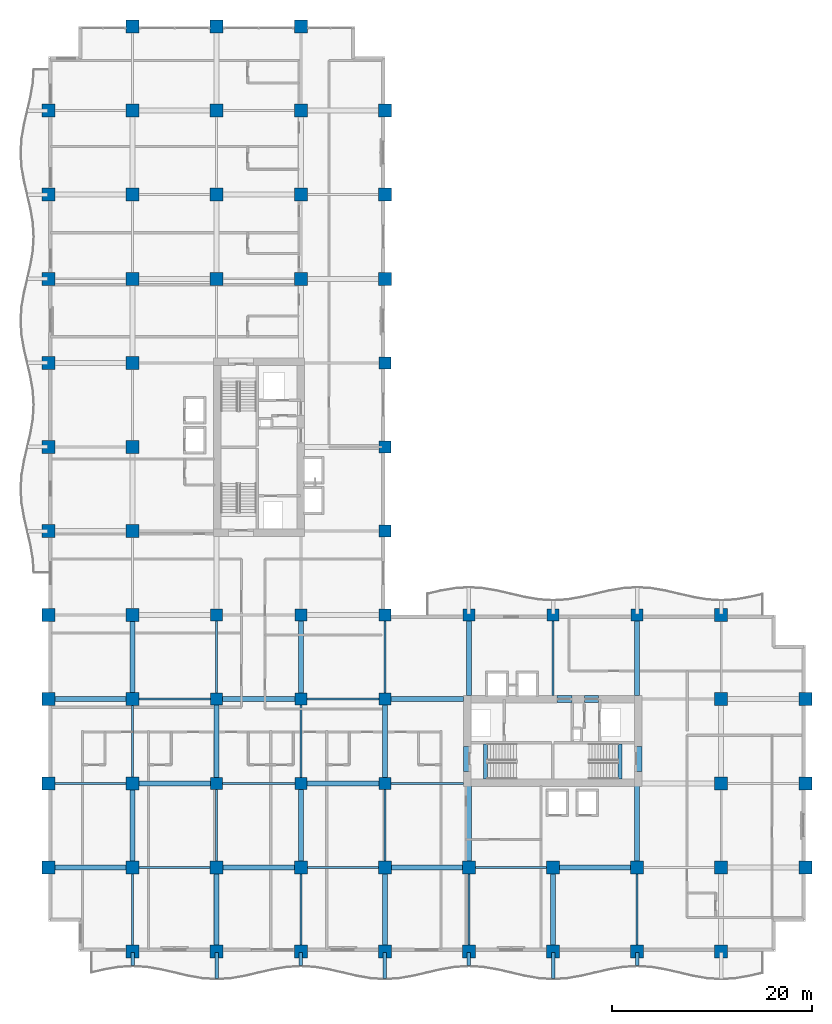
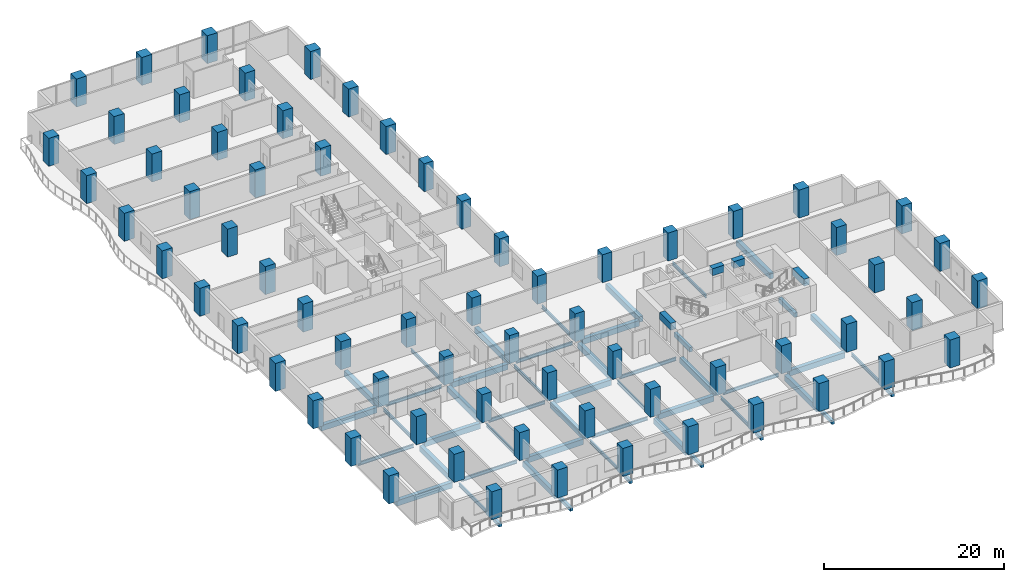
# One storey, part 1 of 20: 68 columns, 54 beams.
"""IFC4 building model written with IfcOpenShell, lengths in metres."""

from ifc_helpers import new_model, si_unit, direction, frame, origin, origin_2d, place, context, subcontext, project, spatial, rectangle, i_section, extrude, material, material_profile, profile_set, type_object, element, save


model = new_model("IFC4")

# Units and contexts
model_context = context("Model", 3, precision=1e-05, world=origin(), true_north=direction((0.0, 1.0)))
body_context = subcontext(model_context, "Body", "Model", "MODEL_VIEW")
ifc_project = project(units=[si_unit("LENGTHUNIT", "METRE"), si_unit("AREAUNIT", "SQUARE_METRE"), si_unit("VOLUMEUNIT", "CUBIC_METRE"), si_unit("PLANEANGLEUNIT", "RADIAN"), si_unit("MASSUNIT", "GRAM", prefix="KILO")], contexts=[model_context])

# Site, building, storey
site_placement = place(None, origin())
site = spatial("IfcSite", under=ifc_project, at=site_placement, CompositionType="ELEMENT")
building_placement = place(site_placement, origin())
building = spatial("IfcBuilding", under=site, at=building_placement, Name="Koriwani Terraces Tower", CompositionType="ELEMENT")
storey_placement = place(building_placement, frame((0.0, 0.0, 126.60009765625)))
storey = spatial("IfcBuildingStorey", under=building, at=storey_placement, Name="L30", CompositionType="ELEMENT", Elevation=126.60009765625)

# Columns
ifc_material_1 = material(Name="Concrete C60/75", Category="concrete")
ifc_material_profile_1 = material_profile(ifc_material_1, rectangle(XDim=1.199951171875, YDim=1.199951171875, at=origin_2d()), Name="Concrete C60/75", Category="LoadBearing")
ifc_profile_set_1 = profile_set([ifc_material_profile_1], Name="Concrete C60/75")
column_type_1 = type_object("IfcColumnType", Name="COL_RC_1200X1200", PredefinedType="COLUMN", material=ifc_profile_set_1)
for number, where, z_axis, x_axis, name in (
    (1, (16.800048828125, 16.800048828125, 0.0), (0.0, 0.0, 1.0), (1.0, 0.0, 0.0), "L30 Column 3/C"),
    (2, (16.800048828125, 25.199951171875, 0.0), (0.0, 0.0, 1.0), (1.0, 0.0, 0.0), "L30 Column 3/D"),
    (3, (16.800048828125, 33.60009765625, 0.0), (0.0, 0.0, 1.0), (1.0, 0.0, 0.0), "L30 Column 3/E"),
    (4, (25.199951171875, 16.800048828125, 0.0), (0.0, 0.0, 1.0), (1.0, 0.0, 0.0), "L30 Column 4/C"),
    (5, (25.199951171875, 25.199951171875, 0.0), (0.0, 0.0, 1.0), (1.0, 0.0, 0.0), "L30 Column 4/D"),
    (6, (25.199951171875, 33.60009765625, 0.0), (0.0, 0.0, 1.0), (1.0, 0.0, 0.0), "L30 Column 4/E"),
    (7, (33.60009765625, 16.800048828125, 0.0), (0.0, 0.0, 1.0), (1.0, 0.0, 0.0), "L30 Column 5/C"),
    (8, (33.60009765625, 25.199951171875, 0.0), (0.0, 0.0, 1.0), (1.0, 0.0, 0.0), "L30 Column 5/D"),
    (9, (33.60009765625, 33.60009765625, 0.0), (0.0, 0.0, 1.0), (1.0, 0.0, 0.0), "L30 Column 5/E"),
    (10, (33.60009765625, 42.0, 0.0), (0.0, 0.0, 1.0), (1.0, 0.0, 0.0), "L30 Column 5/F"),
    (11, (33.60009765625, 50.39990234375, 0.0), (0.0, 0.0, 1.0), (1.0, 0.0, 0.0), "L30 Column 5/G"),
    (12, (33.60009765625, 58.800048828125, 0.0), (0.0, 0.0, 1.0), (1.0, 0.0, 0.0), "L30 Column 5/H"),
    (13, (42.0, 33.60009765625, 0.0), (0.0, 0.0, 1.0), (1.0, 0.0, 0.0), "L30 Column 6/E"),
    (14, (50.39990234375, 33.60009765625, 0.0), (0.0, 0.0, 1.0), (1.0, 0.0, 0.0), "L30 Column 7/E"),
    (15, (58.800048828125, 33.60009765625, 0.0), (0.0, 0.0, 1.0), (1.0, 0.0, 0.0), "L30 Column 8/E"),
):
    element("IfcColumn", number, at=place(storey_placement, frame(where, z_axis=z_axis, x_axis=x_axis)), inside=storey, type_object=column_type_1, Name=name, PredefinedType="COLUMN", context=body_context, shape_type="SweptSolid", body=[
        extrude(rectangle(XDim=1.199951171875, YDim=1.199951171875, at=origin_2d()), origin(), (0.0, 0.0, 1.0), 3.7998046875),
    ])
ifc_material_profile_2 = material_profile(ifc_material_1, rectangle(XDim=1.300048828125, YDim=1.300048828125, at=origin_2d()), Name="Concrete C60/75", Category="LoadBearing")
ifc_profile_set_2 = profile_set([ifc_material_profile_2], Name="Concrete C60/75")
column_type_2 = type_object("IfcColumnType", Name="COL_RC_1300X1300", PredefinedType="COLUMN", material=ifc_profile_set_2)
for number, where, z_axis, x_axis, name in (
    (16, (0.0, 8.39990234375, 0.0), (0.0, 0.0, 1.0), (1.0, 0.0, 0.0), "L30 Column 1/B"),
    (17, (0.0, 16.800048828125, 0.0), (0.0, 0.0, 1.0), (1.0, 0.0, 0.0), "L30 Column 1/C"),
    (18, (0.0, 25.199951171875, 0.0), (0.0, 0.0, 1.0), (1.0, 0.0, 0.0), "L30 Column 1/D"),
    (19, (0.0, 33.60009765625, 0.0), (0.0, 0.0, 1.0), (1.0, 0.0, 0.0), "L30 Column 1/E"),
    (20, (0.0, 42.0, 0.0), (0.0, 0.0, 1.0), (1.0, 0.0, 0.0), "L30 Column 1/F"),
    (21, (0.0, 50.39990234375, 0.0), (0.0, 0.0, 1.0), (1.0, 0.0, 0.0), "L30 Column 1/G"),
    (22, (0.0, 58.800048828125, 0.0), (0.0, 0.0, 1.0), (1.0, 0.0, 0.0), "L30 Column 1/H"),
    (23, (0.0, 67.199951171875, 0.0), (0.0, 0.0, 1.0), (1.0, 0.0, 0.0), "L30 Column 1/I"),
    (24, (0.0, 75.60009765625, 0.0), (0.0, 0.0, 1.0), (1.0, 0.0, 0.0), "L30 Column 1/J"),
    (25, (0.0, 84.0, 0.0), (0.0, 0.0, 1.0), (1.0, 0.0, 0.0), "L30 Column 1/K"),
    (26, (8.39990234375, 0.0, 0.0), (0.0, 0.0, 1.0), (1.0, 0.0, 0.0), "L30 Column 2/A"),
    (27, (8.39990234375, 8.39990234375, 0.0), (0.0, 0.0, 1.0), (1.0, 0.0, 0.0), "L30 Column 2/B"),
    (28, (8.39990234375, 16.800048828125, 0.0), (0.0, 0.0, 1.0), (1.0, 0.0, 0.0), "L30 Column 2/C"),
    (29, (8.39990234375, 25.199951171875, 0.0), (0.0, 0.0, 1.0), (1.0, 0.0, 0.0), "L30 Column 2/D"),
    (30, (8.39990234375, 33.60009765625, 0.0), (0.0, 0.0, 1.0), (1.0, 0.0, 0.0), "L30 Column 2/E"),
    (31, (8.39990234375, 42.0, 0.0), (0.0, 0.0, 1.0), (1.0, 0.0, 0.0), "L30 Column 2/F"),
    (32, (8.39990234375, 50.39990234375, 0.0), (0.0, 0.0, 1.0), (1.0, 0.0, 0.0), "L30 Column 2/G"),
    (33, (8.39990234375, 58.800048828125, 0.0), (0.0, 0.0, 1.0), (1.0, 0.0, 0.0), "L30 Column 2/H"),
    (34, (8.39990234375, 67.199951171875, 0.0), (0.0, 0.0, 1.0), (1.0, 0.0, 0.0), "L30 Column 2/I"),
    (35, (8.39990234375, 75.60009765625, 0.0), (0.0, 0.0, 1.0), (1.0, 0.0, 0.0), "L30 Column 2/J"),
    (36, (8.39990234375, 84.0, 0.0), (0.0, 0.0, 1.0), (1.0, 0.0, 0.0), "L30 Column 2/K"),
    (37, (8.39990234375, 92.39990234375, 0.0), (0.0, 0.0, 1.0), (1.0, 0.0, 0.0), "L30 Column 2/L"),
    (38, (16.800048828125, 0.0, 0.0), (0.0, 0.0, 1.0), (1.0, 0.0, 0.0), "L30 Column 3/A"),
    (39, (16.800048828125, 8.39990234375, 0.0), (0.0, 0.0, 1.0), (1.0, 0.0, 0.0), "L30 Column 3/B"),
    (40, (16.800048828125, 67.199951171875, 0.0), (0.0, 0.0, 1.0), (1.0, 0.0, 0.0), "L30 Column 3/I"),
    (41, (16.800048828125, 75.60009765625, 0.0), (0.0, 0.0, 1.0), (1.0, 0.0, 0.0), "L30 Column 3/J"),
    (42, (16.800048828125, 84.0, 0.0), (0.0, 0.0, 1.0), (1.0, 0.0, 0.0), "L30 Column 3/K"),
    (43, (16.800048828125, 92.39990234375, 0.0), (0.0, 0.0, 1.0), (1.0, 0.0, 0.0), "L30 Column 3/L"),
    (44, (25.199951171875, 0.0, 0.0), (0.0, 0.0, 1.0), (1.0, 0.0, 0.0), "L30 Column 4/A"),
    (45, (25.199951171875, 8.39990234375, 0.0), (0.0, 0.0, 1.0), (1.0, 0.0, 0.0), "L30 Column 4/B"),
    (46, (25.199951171875, 67.199951171875, 0.0), (0.0, 0.0, 1.0), (1.0, 0.0, 0.0), "L30 Column 4/I"),
    (47, (25.199951171875, 75.60009765625, 0.0), (0.0, 0.0, 1.0), (1.0, 0.0, 0.0), "L30 Column 4/J"),
    (48, (25.199951171875, 84.0, 0.0), (0.0, 0.0, 1.0), (1.0, 0.0, 0.0), "L30 Column 4/K"),
    (49, (25.199951171875, 92.39990234375, 0.0), (0.0, 0.0, 1.0), (1.0, 0.0, 0.0), "L30 Column 4/L"),
    (50, (33.60009765625, 0.0, 0.0), (0.0, 0.0, 1.0), (1.0, 0.0, 0.0), "L30 Column 5/A"),
    (51, (33.60009765625, 8.39990234375, 0.0), (0.0, 0.0, 1.0), (1.0, 0.0, 0.0), "L30 Column 5/B"),
    (52, (33.60009765625, 67.199951171875, 0.0), (0.0, 0.0, 1.0), (1.0, 0.0, 0.0), "L30 Column 5/I"),
    (53, (33.60009765625, 75.60009765625, 0.0), (0.0, 0.0, 1.0), (1.0, 0.0, 0.0), "L30 Column 5/J"),
    (54, (33.60009765625, 84.0, 0.0), (0.0, 0.0, 1.0), (1.0, 0.0, 0.0), "L30 Column 5/K"),
    (55, (42.0, 0.0, 0.0), (0.0, 0.0, 1.0), (1.0, 0.0, 0.0), "L30 Column 6/A"),
    (56, (42.0, 8.39990234375, 0.0), (0.0, 0.0, 1.0), (1.0, 0.0, 0.0), "L30 Column 6/B"),
    (57, (50.39990234375, 0.0, 0.0), (0.0, 0.0, 1.0), (1.0, 0.0, 0.0), "L30 Column 7/A"),
    (58, (50.39990234375, 8.39990234375, 0.0), (0.0, 0.0, 1.0), (1.0, 0.0, 0.0), "L30 Column 7/B"),
    (59, (58.800048828125, 0.0, 0.0), (0.0, 0.0, 1.0), (1.0, 0.0, 0.0), "L30 Column 8/A"),
    (60, (58.800048828125, 8.39990234375, 0.0), (0.0, 0.0, 1.0), (1.0, 0.0, 0.0), "L30 Column 8/B"),
    (61, (67.199951171875, 0.0, 0.0), (0.0, 0.0, 1.0), (1.0, 0.0, 0.0), "L30 Column 9/A"),
    (62, (67.199951171875, 8.39990234375, 0.0), (0.0, 0.0, 1.0), (1.0, 0.0, 0.0), "L30 Column 9/B"),
    (63, (67.199951171875, 16.800048828125, 0.0), (0.0, 0.0, 1.0), (1.0, 0.0, 0.0), "L30 Column 9/C"),
    (64, (67.199951171875, 25.199951171875, 0.0), (0.0, 0.0, 1.0), (1.0, 0.0, 0.0), "L30 Column 9/D"),
    (65, (67.199951171875, 33.60009765625, 0.0), (0.0, 0.0, 1.0), (1.0, 0.0, 0.0), "L30 Column 9/E"),
    (66, (75.60009765625, 8.39990234375, 0.0), (0.0, 0.0, 1.0), (1.0, 0.0, 0.0), "L30 Column 10/B"),
    (67, (75.60009765625, 16.800048828125, 0.0), (0.0, 0.0, 1.0), (1.0, 0.0, 0.0), "L30 Column 10/C"),
    (68, (75.60009765625, 25.199951171875, 0.0), (0.0, 0.0, 1.0), (1.0, 0.0, 0.0), "L30 Column 10/D"),
):
    element("IfcColumn", number, at=place(storey_placement, frame(where, z_axis=z_axis, x_axis=x_axis)), inside=storey, type_object=column_type_2, Name=name, PredefinedType="COLUMN", context=body_context, shape_type="SweptSolid", body=[
        extrude(rectangle(XDim=1.300048828125, YDim=1.300048828125, at=origin_2d()), origin(), (0.0, 0.0, 1.0), 3.7998046875),
    ])

# Beams
ifc_material_2 = material(Name="Concrete C40/50", Category="concrete")
ifc_material_profile_3 = material_profile(ifc_material_2, rectangle(XDim=0.35009765625, YDim=0.449951171875, at=origin_2d()), Name="Concrete C40/50", Category="LoadBearing")
ifc_profile_set_3 = profile_set([ifc_material_profile_3], Name="Concrete C40/50")
beam_type_1 = type_object("IfcBeamType", Name="BEAM_RC_BALCONY_RIB_350X450", PredefinedType="JOIST", material=ifc_profile_set_3)
beam_1_placement = place(storey_placement, frame((8.39990234375, -1.39990234375, -0.47509765625), z_axis=(0.0, 1.0, 0.0), x_axis=(-1.0, 0.0, 0.0)))
element("IfcBeam", 69, at=beam_1_placement, inside=storey, type_object=beam_type_1, Name="L30 Balcony Bracket Rib S-1", PredefinedType="JOIST", context=body_context, shape_type="SweptSolid", body=[
    extrude(rectangle(XDim=0.35009765625, YDim=0.449951171875, at=origin_2d()), origin(), (0.0, 0.0, 1.0), 1.2998046875),
])
beam_2_placement = place(storey_placement, frame((16.800048828125, -2.699951171875, -0.47509765625), z_axis=(0.0, 1.0, 0.0), x_axis=(-1.0, 0.0, 0.0)))
element("IfcBeam", 70, at=beam_2_placement, inside=storey, type_object=beam_type_1, Name="L30 Balcony Bracket Rib S-2", PredefinedType="JOIST", context=body_context, shape_type="SweptSolid", body=[
    extrude(rectangle(XDim=0.35009765625, YDim=0.449951171875, at=origin_2d()), origin(), (0.0, 0.0, 1.0), 2.599853515625),
])
beam_3_placement = place(storey_placement, frame((25.199951171875, -1.39990234375, -0.47509765625), z_axis=(0.0, 1.0, 0.0), x_axis=(-1.0, 0.0, 0.0)))
element("IfcBeam", 71, at=beam_3_placement, inside=storey, type_object=beam_type_1, Name="L30 Balcony Bracket Rib S-3", PredefinedType="JOIST", context=body_context, shape_type="SweptSolid", body=[
    extrude(rectangle(XDim=0.35009765625, YDim=0.449951171875, at=origin_2d()), origin(), (0.0, 0.0, 1.0), 1.2998046875),
])
beam_4_placement = place(storey_placement, frame((33.60009765625, -2.699951171875, -0.47509765625), z_axis=(0.0, 1.0, 0.0), x_axis=(-1.0, 0.0, 0.0)))
element("IfcBeam", 72, at=beam_4_placement, inside=storey, type_object=beam_type_1, Name="L30 Balcony Bracket Rib S-4", PredefinedType="JOIST", context=body_context, shape_type="SweptSolid", body=[
    extrude(rectangle(XDim=0.35009765625, YDim=0.449951171875, at=origin_2d()), origin(), (0.0, 0.0, 1.0), 2.599853515625),
])
beam_5_placement = place(storey_placement, frame((42.0, -1.39990234375, -0.47509765625), z_axis=(0.0, 1.0, 0.0), x_axis=(-1.0, 0.0, 0.0)))
element("IfcBeam", 73, at=beam_5_placement, inside=storey, type_object=beam_type_1, Name="L30 Balcony Bracket Rib S-5", PredefinedType="JOIST", context=body_context, shape_type="SweptSolid", body=[
    extrude(rectangle(XDim=0.35009765625, YDim=0.449951171875, at=origin_2d()), origin(), (0.0, 0.0, 1.0), 1.2998046875),
])
beam_6_placement = place(storey_placement, frame((50.39990234375, -2.699951171875, -0.47509765625), z_axis=(0.0, 1.0, 0.0), x_axis=(-1.0, 0.0, 0.0)))
element("IfcBeam", 74, at=beam_6_placement, inside=storey, type_object=beam_type_1, Name="L30 Balcony Bracket Rib S-6", PredefinedType="JOIST", context=body_context, shape_type="SweptSolid", body=[
    extrude(rectangle(XDim=0.35009765625, YDim=0.449951171875, at=origin_2d()), origin(), (0.0, 0.0, 1.0), 2.599853515625),
])
beam_7_placement = place(storey_placement, frame((58.800048828125, -1.39990234375, -0.47509765625), z_axis=(0.0, 1.0, 0.0), x_axis=(-1.0, 0.0, 0.0)))
element("IfcBeam", 75, at=beam_7_placement, inside=storey, type_object=beam_type_1, Name="L30 Balcony Bracket Rib S-7", PredefinedType="JOIST", context=body_context, shape_type="SweptSolid", body=[
    extrude(rectangle(XDim=0.35009765625, YDim=0.449951171875, at=origin_2d()), origin(), (0.0, 0.0, 1.0), 1.2998046875),
])
ifc_material_profile_4 = material_profile(ifc_material_1, rectangle(XDim=0.699951171875, YDim=0.949951171875, at=origin_2d()), Name="Concrete C60/75", Category="LoadBearing")
ifc_profile_set_4 = profile_set([ifc_material_profile_4], Name="Concrete C60/75")
beam_type_2 = type_object("IfcBeamType", Name="BEAM_RC_COUPLING_700X950", PredefinedType="LINTEL", material=ifc_profile_set_4)
beam_8_placement = place(storey_placement, frame((50.800048828125, 25.199951171875, 3.074951171875), z_axis=(1.0, 0.0, 0.0), x_axis=(0.0, 1.0, 0.0)))
element("IfcBeam", 76, at=beam_8_placement, inside=storey, type_object=beam_type_2, Name="L30 Core Coupling Lintel Beam EN1", PredefinedType="LINTEL", context=body_context, shape_type="SweptSolid", body=[
    extrude(rectangle(XDim=0.699951171875, YDim=0.949951171875, at=origin_2d()), origin(), (0.0, 0.0, 1.0), 1.47998046875),
])
beam_9_placement = place(storey_placement, frame((53.550048828125, 25.199951171875, 3.074951171875), z_axis=(1.0, 0.0, 0.0), x_axis=(0.0, 1.0, 0.0)))
element("IfcBeam", 77, at=beam_9_placement, inside=storey, type_object=beam_type_2, Name="L30 Core Coupling Lintel Beam EN2", PredefinedType="LINTEL", context=body_context, shape_type="SweptSolid", body=[
    extrude(rectangle(XDim=0.699951171875, YDim=0.949951171875, at=origin_2d()), origin(), (0.0, 0.0, 1.0), 1.39990234375),
])
for number, where, z_axis, x_axis, name in (
    (78, (41.824951171875, 18.0, 3.074951171875), (0.0, 1.0, 0.0), (-1.0, 0.0, 0.0), "L30 Core Coupling Lintel Beam EW"),
    (79, (58.925048828125, 18.0, 3.074951171875), (0.0, 1.0, 0.0), (-1.0, 0.0, 0.0), "L30 Core Coupling Lintel Beam EE"),
):
    element("IfcBeam", number, at=place(storey_placement, frame(where, z_axis=z_axis, x_axis=x_axis)), inside=storey, type_object=beam_type_2, Name=name, PredefinedType="LINTEL", context=body_context, shape_type="SweptSolid", body=[
        extrude(rectangle(XDim=0.699951171875, YDim=0.949951171875, at=origin_2d()), origin(), (0.0, 0.0, 1.0), 2.5),
    ])
ifc_material_profile_5 = material_profile(ifc_material_2, rectangle(XDim=0.39990234375, YDim=0.60009765625, at=origin_2d()), Name="Concrete C40/50", Category="LoadBearing")
ifc_profile_set_5 = profile_set([ifc_material_profile_5], Name="Concrete C40/50")
beam_type_3 = type_object("IfcBeamType", Name="BEAM_RC_GRID_400X600", PredefinedType="BEAM", material=ifc_profile_set_5)
for number, where, z_axis, x_axis, name in (
    (80, (43.655029296875, 17.25, -0.300048828125), (0.0, 1.0, 0.0), (-1.0, 0.0, 0.0), "L30 Stairwell Header Trimmer Beam ST-E1"),
    (81, (57.094970703125, 17.25, -0.300048828125), (0.0, 1.0, 0.0), (-1.0, 0.0, 0.0), "L30 Stairwell Header Trimmer Beam ST-E2"),
):
    element("IfcBeam", number, at=place(storey_placement, frame(where, z_axis=z_axis, x_axis=x_axis)), inside=storey, type_object=beam_type_3, Name=name, PredefinedType="BEAM", context=body_context, shape_type="SweptSolid", body=[
        extrude(rectangle(XDim=0.39990234375, YDim=0.60009765625, at=origin_2d()), origin(), (0.0, 0.0, 1.0), 3.5),
    ])
ifc_material_3 = material(Name="Concrete C50/60", Category="concrete")
ifc_material_profile_6 = material_profile(ifc_material_3, rectangle(XDim=0.5, YDim=0.75, at=origin_2d()), Name="Concrete C50/60", Category="LoadBearing")
ifc_profile_set_6 = profile_set([ifc_material_profile_6], Name="Concrete C50/60")
beam_type_4 = type_object("IfcBeamType", Name="BEAM_RC_GRID_500X750", PredefinedType="BEAM", material=ifc_profile_set_6)
for number, where, z_axis, x_axis, name in (
    (82, (0.6298828125, 8.39990234375, -0.625), (1.0, 0.0, 0.0), (0.0, 1.0, 0.0), "L30 Grid Beam B (0.0-8.4m)"),
    (83, (17.429931640625, 8.39990234375, -0.625), (1.0, 0.0, 0.0), (0.0, 1.0, 0.0), "L30 Grid Beam B (16.8-25.2m)"),
    (84, (34.22998046875, 8.39990234375, -0.625), (1.0, 0.0, 0.0), (0.0, 1.0, 0.0), "L30 Grid Beam B (33.6-42.0m)"),
):
    element("IfcBeam", number, at=place(storey_placement, frame(where, z_axis=z_axis, x_axis=x_axis)), inside=storey, type_object=beam_type_4, Name=name, PredefinedType="BEAM", context=body_context, shape_type="SweptSolid", body=[
        extrude(rectangle(XDim=0.5, YDim=0.75, at=origin_2d()), origin(), (0.0, 0.0, 1.0), 7.14013671875),
    ])
beam_10_placement = place(storey_placement, frame((51.030029296875, 8.39990234375, -0.625), z_axis=(1.0, 0.0, 0.0), x_axis=(0.0, 1.0, 0.0)))
element("IfcBeam", 85, at=beam_10_placement, inside=storey, type_object=beam_type_4, Name="L30 Grid Beam B (50.4-58.8m)", PredefinedType="BEAM", context=body_context, shape_type="SweptSolid", body=[
    extrude(rectangle(XDim=0.5, YDim=0.75, at=origin_2d()), origin(), (0.0, 0.0, 1.0), 7.139892578125),
])
beam_11_placement = place(storey_placement, frame((9.030029296875, 16.800048828125, -0.625), z_axis=(1.0, 0.0, 0.0), x_axis=(0.0, 1.0, 0.0)))
element("IfcBeam", 86, at=beam_11_placement, inside=storey, type_object=beam_type_4, Name="L30 Grid Beam C (8.4-16.8m)", PredefinedType="BEAM", context=body_context, shape_type="SweptSolid", body=[
    extrude(rectangle(XDim=0.5, YDim=0.75, at=origin_2d()), origin(), (0.0, 0.0, 1.0), 7.18994140625),
])
beam_12_placement = place(storey_placement, frame((25.780029296875, 16.800048828125, -0.625), z_axis=(1.0, 0.0, 0.0), x_axis=(0.0, 1.0, 0.0)))
element("IfcBeam", 87, at=beam_12_placement, inside=storey, type_object=beam_type_4, Name="L30 Grid Beam C (25.2-33.6m)", PredefinedType="BEAM", context=body_context, shape_type="SweptSolid", body=[
    extrude(rectangle(XDim=0.5, YDim=0.75, at=origin_2d()), origin(), (0.0, 0.0, 1.0), 7.239990234375),
])
beam_13_placement = place(storey_placement, frame((0.6298828125, 25.199951171875, -0.625), z_axis=(1.0, 0.0, 0.0), x_axis=(0.0, 1.0, 0.0)))
element("IfcBeam", 88, at=beam_13_placement, inside=storey, type_object=beam_type_4, Name="L30 Grid Beam D (0.0-8.4m)", PredefinedType="BEAM", context=body_context, shape_type="SweptSolid", body=[
    extrude(rectangle(XDim=0.5, YDim=0.75, at=origin_2d()), origin(), (0.0, 0.0, 1.0), 7.14013671875),
])
beam_14_placement = place(storey_placement, frame((17.3798828125, 25.199951171875, -0.625), z_axis=(1.0, 0.0, 0.0), x_axis=(0.0, 1.0, 0.0)))
element("IfcBeam", 89, at=beam_14_placement, inside=storey, type_object=beam_type_4, Name="L30 Grid Beam D (16.8-25.2m)", PredefinedType="BEAM", context=body_context, shape_type="SweptSolid", body=[
    extrude(rectangle(XDim=0.5, YDim=0.75, at=origin_2d()), origin(), (0.0, 0.0, 1.0), 7.240234375),
])
beam_15_placement = place(storey_placement, frame((34.179931640625, 25.199951171875, -0.625), z_axis=(1.0, 0.0, 0.0), x_axis=(0.0, 1.0, 0.0)))
element("IfcBeam", 90, at=beam_15_placement, inside=storey, type_object=beam_type_4, Name="L30 Grid Beam D (33.6-42.0m)", PredefinedType="BEAM", context=body_context, shape_type="SweptSolid", body=[
    extrude(rectangle(XDim=0.5, YDim=0.75, at=origin_2d()), origin(), (0.0, 0.0, 1.0), 7.2900390625),
])
for number, where, z_axis, x_axis, name in (
    (91, (8.39990234375, 9.030029296875, -0.625), (0.0, 1.0, 0.0), (-1.0, 0.0, 0.0), "L30 Grid Beam 2 (8.4-16.8m)"),
    (92, (8.39990234375, 25.830078125, -0.625), (0.0, 1.0, 0.0), (-1.0, 0.0, 0.0), "L30 Grid Beam 2 (25.2-33.6m)"),
):
    element("IfcBeam", number, at=place(storey_placement, frame(where, z_axis=z_axis, x_axis=x_axis)), inside=storey, type_object=beam_type_4, Name=name, PredefinedType="BEAM", context=body_context, shape_type="SweptSolid", body=[
        extrude(rectangle(XDim=0.5, YDim=0.75, at=origin_2d()), origin(), (0.0, 0.0, 1.0), 7.139892578125),
    ])
beam_16_placement = place(storey_placement, frame((16.800048828125, 0.6298828125, -0.625), z_axis=(0.0, 1.0, 0.0), x_axis=(-1.0, 0.0, 0.0)))
element("IfcBeam", 93, at=beam_16_placement, inside=storey, type_object=beam_type_4, Name="L30 Grid Beam 3 (0.0-8.4m)", PredefinedType="BEAM", context=body_context, shape_type="SweptSolid", body=[
    extrude(rectangle(XDim=0.5, YDim=0.75, at=origin_2d()), origin(), (0.0, 0.0, 1.0), 7.14013671875),
])
beam_17_placement = place(storey_placement, frame((16.800048828125, 17.3798828125, -0.625), z_axis=(0.0, 1.0, 0.0), x_axis=(-1.0, 0.0, 0.0)))
element("IfcBeam", 94, at=beam_17_placement, inside=storey, type_object=beam_type_4, Name="L30 Grid Beam 3 (16.8-25.2m)", PredefinedType="BEAM", context=body_context, shape_type="SweptSolid", body=[
    extrude(rectangle(XDim=0.5, YDim=0.75, at=origin_2d()), origin(), (0.0, 0.0, 1.0), 7.240234375),
])
beam_18_placement = place(storey_placement, frame((25.199951171875, 9.030029296875, -0.625), z_axis=(0.0, 1.0, 0.0), x_axis=(-1.0, 0.0, 0.0)))
element("IfcBeam", 95, at=beam_18_placement, inside=storey, type_object=beam_type_4, Name="L30 Grid Beam 4 (8.4-16.8m)", PredefinedType="BEAM", context=body_context, shape_type="SweptSolid", body=[
    extrude(rectangle(XDim=0.5, YDim=0.75, at=origin_2d()), origin(), (0.0, 0.0, 1.0), 7.18994140625),
])
beam_19_placement = place(storey_placement, frame((25.199951171875, 25.780029296875, -0.625), z_axis=(0.0, 1.0, 0.0), x_axis=(-1.0, 0.0, 0.0)))
element("IfcBeam", 96, at=beam_19_placement, inside=storey, type_object=beam_type_4, Name="L30 Grid Beam 4 (25.2-33.6m)", PredefinedType="BEAM", context=body_context, shape_type="SweptSolid", body=[
    extrude(rectangle(XDim=0.5, YDim=0.75, at=origin_2d()), origin(), (0.0, 0.0, 1.0), 7.239990234375),
])
beam_20_placement = place(storey_placement, frame((33.60009765625, 0.6298828125, -0.625), z_axis=(0.0, 1.0, 0.0), x_axis=(-1.0, 0.0, 0.0)))
element("IfcBeam", 97, at=beam_20_placement, inside=storey, type_object=beam_type_4, Name="L30 Grid Beam 5 (0.0-8.4m)", PredefinedType="BEAM", context=body_context, shape_type="SweptSolid", body=[
    extrude(rectangle(XDim=0.5, YDim=0.75, at=origin_2d()), origin(), (0.0, 0.0, 1.0), 7.14013671875),
])
beam_21_placement = place(storey_placement, frame((33.60009765625, 17.3798828125, -0.625), z_axis=(0.0, 1.0, 0.0), x_axis=(-1.0, 0.0, 0.0)))
element("IfcBeam", 98, at=beam_21_placement, inside=storey, type_object=beam_type_4, Name="L30 Grid Beam 5 (16.8-25.2m)", PredefinedType="BEAM", context=body_context, shape_type="SweptSolid", body=[
    extrude(rectangle(XDim=0.5, YDim=0.75, at=origin_2d()), origin(), (0.0, 0.0, 1.0), 7.240234375),
])
beam_22_placement = place(storey_placement, frame((42.0, 9.030029296875, -0.625), z_axis=(0.0, 1.0, 0.0), x_axis=(-1.0, 0.0, 0.0)))
element("IfcBeam", 99, at=beam_22_placement, inside=storey, type_object=beam_type_4, Name="L30 Grid Beam 6 (8.4-16.8m)", PredefinedType="BEAM", context=body_context, shape_type="SweptSolid", body=[
    extrude(rectangle(XDim=0.5, YDim=0.75, at=origin_2d()), origin(), (0.0, 0.0, 1.0), 7.489990234375),
])
beam_23_placement = place(storey_placement, frame((42.0, 25.554931640625, -0.625), z_axis=(0.0, 1.0, 0.0), x_axis=(-1.0, 0.0, 0.0)))
element("IfcBeam", 100, at=beam_23_placement, inside=storey, type_object=beam_type_4, Name="L30 Grid Beam 6 (25.2-33.6m)", PredefinedType="BEAM", context=body_context, shape_type="SweptSolid", body=[
    extrude(rectangle(XDim=0.5, YDim=0.75, at=origin_2d()), origin(), (0.0, 0.0, 1.0), 7.465087890625),
])
beam_24_placement = place(storey_placement, frame((50.39990234375, 0.6298828125, -0.625), z_axis=(0.0, 1.0, 0.0), x_axis=(-1.0, 0.0, 0.0)))
element("IfcBeam", 101, at=beam_24_placement, inside=storey, type_object=beam_type_4, Name="L30 Grid Beam 7 (0.0-8.4m)", PredefinedType="BEAM", context=body_context, shape_type="SweptSolid", body=[
    extrude(rectangle(XDim=0.5, YDim=0.75, at=origin_2d()), origin(), (0.0, 0.0, 1.0), 7.14013671875),
])
beam_25_placement = place(storey_placement, frame((58.800048828125, 9.030029296875, -0.625), z_axis=(0.0, 1.0, 0.0), x_axis=(-1.0, 0.0, 0.0)))
element("IfcBeam", 102, at=beam_25_placement, inside=storey, type_object=beam_type_4, Name="L30 Grid Beam 8 (8.4-16.8m)", PredefinedType="BEAM", context=body_context, shape_type="SweptSolid", body=[
    extrude(rectangle(XDim=0.5, YDim=0.75, at=origin_2d()), origin(), (0.0, 0.0, 1.0), 7.489990234375),
])
beam_26_placement = place(storey_placement, frame((58.800048828125, 25.554931640625, -0.625), z_axis=(0.0, 1.0, 0.0), x_axis=(-1.0, 0.0, 0.0)))
element("IfcBeam", 103, at=beam_26_placement, inside=storey, type_object=beam_type_4, Name="L30 Grid Beam 8 (25.2-33.6m)", PredefinedType="BEAM", context=body_context, shape_type="SweptSolid", body=[
    extrude(rectangle(XDim=0.5, YDim=0.75, at=origin_2d()), origin(), (0.0, 0.0, 1.0), 7.465087890625),
])
ifc_material_4 = material(Name="Steel ASTM A572 Grade 50", Category="steel")
ifc_material_profile_7 = material_profile(ifc_material_4, i_section(OverallWidth=0.193115234375, OverallDepth=0.462890625, WebThickness=0.0107421875, FlangeThickness=0.017333984375, at=origin_2d()), Name="Steel ASTM A572 Grade 50", Category="LoadBearing")
ifc_profile_set_7 = profile_set([ifc_material_profile_7], Name="Steel ASTM A572 Grade 50")
beam_type_5 = type_object("IfcBeamType", Name="STEEL_BEAM_W460X113", PredefinedType="BEAM", material=ifc_profile_set_7)
for number, where, z_axis, x_axis, name in (
    (104, (9.030029296875, 8.39990234375, -0.481689453125), (1.0, 0.0, 0.0), (0.0, 1.0, 0.0), "L30 Grid Beam B (8.4-16.8m)"),
    (105, (25.830078125, 8.39990234375, -0.481689453125), (1.0, 0.0, 0.0), (0.0, 1.0, 0.0), "L30 Grid Beam B (25.2-33.6m)"),
):
    element("IfcBeam", number, at=place(storey_placement, frame(where, z_axis=z_axis, x_axis=x_axis)), inside=storey, type_object=beam_type_5, Name=name, PredefinedType="BEAM", context=body_context, shape_type="SweptSolid", body=[
        extrude(i_section(OverallWidth=0.193115234375, OverallDepth=0.462890625, WebThickness=0.0107421875, FlangeThickness=0.017333984375, at=origin_2d()), origin(), (0.0, 0.0, 1.0), 7.139892578125),
    ])
for number, where, z_axis, x_axis, name in (
    (106, (42.6298828125, 8.39990234375, -0.481689453125), (1.0, 0.0, 0.0), (0.0, 1.0, 0.0), "L30 Grid Beam B (42.0-50.4m)"),
    (107, (0.6298828125, 16.800048828125, -0.481689453125), (1.0, 0.0, 0.0), (0.0, 1.0, 0.0), "L30 Grid Beam C (0.0-8.4m)"),
):
    element("IfcBeam", number, at=place(storey_placement, frame(where, z_axis=z_axis, x_axis=x_axis)), inside=storey, type_object=beam_type_5, Name=name, PredefinedType="BEAM", context=body_context, shape_type="SweptSolid", body=[
        extrude(i_section(OverallWidth=0.193115234375, OverallDepth=0.462890625, WebThickness=0.0107421875, FlangeThickness=0.017333984375, at=origin_2d()), origin(), (0.0, 0.0, 1.0), 7.14013671875),
    ])
beam_27_placement = place(storey_placement, frame((17.3798828125, 16.800048828125, -0.481689453125), z_axis=(1.0, 0.0, 0.0), x_axis=(0.0, 1.0, 0.0)))
element("IfcBeam", 108, at=beam_27_placement, inside=storey, type_object=beam_type_5, Name="L30 Grid Beam C (16.8-25.2m)", PredefinedType="BEAM", context=body_context, shape_type="SweptSolid", body=[
    extrude(i_section(OverallWidth=0.193115234375, OverallDepth=0.462890625, WebThickness=0.0107421875, FlangeThickness=0.017333984375, at=origin_2d()), origin(), (0.0, 0.0, 1.0), 7.240234375),
])
beam_28_placement = place(storey_placement, frame((34.179931640625, 16.800048828125, -0.481689453125), z_axis=(1.0, 0.0, 0.0), x_axis=(0.0, 1.0, 0.0)))
element("IfcBeam", 109, at=beam_28_placement, inside=storey, type_object=beam_type_5, Name="L30 Grid Beam C (33.6-42.0m)", PredefinedType="BEAM", context=body_context, shape_type="SweptSolid", body=[
    extrude(i_section(OverallWidth=0.193115234375, OverallDepth=0.462890625, WebThickness=0.0107421875, FlangeThickness=0.017333984375, at=origin_2d()), origin(), (0.0, 0.0, 1.0), 7.2900390625),
])
beam_29_placement = place(storey_placement, frame((9.030029296875, 25.199951171875, -0.481689453125), z_axis=(1.0, 0.0, 0.0), x_axis=(0.0, 1.0, 0.0)))
element("IfcBeam", 110, at=beam_29_placement, inside=storey, type_object=beam_type_5, Name="L30 Grid Beam D (8.4-16.8m)", PredefinedType="BEAM", context=body_context, shape_type="SweptSolid", body=[
    extrude(i_section(OverallWidth=0.193115234375, OverallDepth=0.462890625, WebThickness=0.0107421875, FlangeThickness=0.017333984375, at=origin_2d()), origin(), (0.0, 0.0, 1.0), 7.18994140625),
])
beam_30_placement = place(storey_placement, frame((25.780029296875, 25.199951171875, -0.481689453125), z_axis=(1.0, 0.0, 0.0), x_axis=(0.0, 1.0, 0.0)))
element("IfcBeam", 111, at=beam_30_placement, inside=storey, type_object=beam_type_5, Name="L30 Grid Beam D (25.2-33.6m)", PredefinedType="BEAM", context=body_context, shape_type="SweptSolid", body=[
    extrude(i_section(OverallWidth=0.193115234375, OverallDepth=0.462890625, WebThickness=0.0107421875, FlangeThickness=0.017333984375, at=origin_2d()), origin(), (0.0, 0.0, 1.0), 7.239990234375),
])
for number, where, z_axis, x_axis, name in (
    (112, (8.39990234375, 0.6298828125, -0.481689453125), (0.0, 1.0, 0.0), (-1.0, 0.0, 0.0), "L30 Grid Beam 2 (0.0-8.4m)"),
    (113, (8.39990234375, 17.429931640625, -0.481689453125), (0.0, 1.0, 0.0), (-1.0, 0.0, 0.0), "L30 Grid Beam 2 (16.8-25.2m)"),
):
    element("IfcBeam", number, at=place(storey_placement, frame(where, z_axis=z_axis, x_axis=x_axis)), inside=storey, type_object=beam_type_5, Name=name, PredefinedType="BEAM", context=body_context, shape_type="SweptSolid", body=[
        extrude(i_section(OverallWidth=0.193115234375, OverallDepth=0.462890625, WebThickness=0.0107421875, FlangeThickness=0.017333984375, at=origin_2d()), origin(), (0.0, 0.0, 1.0), 7.14013671875),
    ])
beam_31_placement = place(storey_placement, frame((16.800048828125, 9.030029296875, -0.481689453125), z_axis=(0.0, 1.0, 0.0), x_axis=(-1.0, 0.0, 0.0)))
element("IfcBeam", 114, at=beam_31_placement, inside=storey, type_object=beam_type_5, Name="L30 Grid Beam 3 (8.4-16.8m)", PredefinedType="BEAM", context=body_context, shape_type="SweptSolid", body=[
    extrude(i_section(OverallWidth=0.193115234375, OverallDepth=0.462890625, WebThickness=0.0107421875, FlangeThickness=0.017333984375, at=origin_2d()), origin(), (0.0, 0.0, 1.0), 7.18994140625),
])
beam_32_placement = place(storey_placement, frame((16.800048828125, 25.780029296875, -0.481689453125), z_axis=(0.0, 1.0, 0.0), x_axis=(-1.0, 0.0, 0.0)))
element("IfcBeam", 115, at=beam_32_placement, inside=storey, type_object=beam_type_5, Name="L30 Grid Beam 3 (25.2-33.6m)", PredefinedType="BEAM", context=body_context, shape_type="SweptSolid", body=[
    extrude(i_section(OverallWidth=0.193115234375, OverallDepth=0.462890625, WebThickness=0.0107421875, FlangeThickness=0.017333984375, at=origin_2d()), origin(), (0.0, 0.0, 1.0), 7.239990234375),
])
beam_33_placement = place(storey_placement, frame((25.199951171875, 0.6298828125, -0.481689453125), z_axis=(0.0, 1.0, 0.0), x_axis=(-1.0, 0.0, 0.0)))
element("IfcBeam", 116, at=beam_33_placement, inside=storey, type_object=beam_type_5, Name="L30 Grid Beam 4 (0.0-8.4m)", PredefinedType="BEAM", context=body_context, shape_type="SweptSolid", body=[
    extrude(i_section(OverallWidth=0.193115234375, OverallDepth=0.462890625, WebThickness=0.0107421875, FlangeThickness=0.017333984375, at=origin_2d()), origin(), (0.0, 0.0, 1.0), 7.14013671875),
])
beam_34_placement = place(storey_placement, frame((25.199951171875, 17.3798828125, -0.481689453125), z_axis=(0.0, 1.0, 0.0), x_axis=(-1.0, 0.0, 0.0)))
element("IfcBeam", 117, at=beam_34_placement, inside=storey, type_object=beam_type_5, Name="L30 Grid Beam 4 (16.8-25.2m)", PredefinedType="BEAM", context=body_context, shape_type="SweptSolid", body=[
    extrude(i_section(OverallWidth=0.193115234375, OverallDepth=0.462890625, WebThickness=0.0107421875, FlangeThickness=0.017333984375, at=origin_2d()), origin(), (0.0, 0.0, 1.0), 7.240234375),
])
beam_35_placement = place(storey_placement, frame((33.60009765625, 9.030029296875, -0.481689453125), z_axis=(0.0, 1.0, 0.0), x_axis=(-1.0, 0.0, 0.0)))
element("IfcBeam", 118, at=beam_35_placement, inside=storey, type_object=beam_type_5, Name="L30 Grid Beam 5 (8.4-16.8m)", PredefinedType="BEAM", context=body_context, shape_type="SweptSolid", body=[
    extrude(i_section(OverallWidth=0.193115234375, OverallDepth=0.462890625, WebThickness=0.0107421875, FlangeThickness=0.017333984375, at=origin_2d()), origin(), (0.0, 0.0, 1.0), 7.18994140625),
])
beam_36_placement = place(storey_placement, frame((33.60009765625, 25.780029296875, -0.481689453125), z_axis=(0.0, 1.0, 0.0), x_axis=(-1.0, 0.0, 0.0)))
element("IfcBeam", 119, at=beam_36_placement, inside=storey, type_object=beam_type_5, Name="L30 Grid Beam 5 (25.2-33.6m)", PredefinedType="BEAM", context=body_context, shape_type="SweptSolid", body=[
    extrude(i_section(OverallWidth=0.193115234375, OverallDepth=0.462890625, WebThickness=0.0107421875, FlangeThickness=0.017333984375, at=origin_2d()), origin(), (0.0, 0.0, 1.0), 7.239990234375),
])
beam_37_placement = place(storey_placement, frame((42.0, 0.6298828125, -0.481689453125), z_axis=(0.0, 1.0, 0.0), x_axis=(-1.0, 0.0, 0.0)))
element("IfcBeam", 120, at=beam_37_placement, inside=storey, type_object=beam_type_5, Name="L30 Grid Beam 6 (0.0-8.4m)", PredefinedType="BEAM", context=body_context, shape_type="SweptSolid", body=[
    extrude(i_section(OverallWidth=0.193115234375, OverallDepth=0.462890625, WebThickness=0.0107421875, FlangeThickness=0.017333984375, at=origin_2d()), origin(), (0.0, 0.0, 1.0), 7.14013671875),
])
beam_38_placement = place(storey_placement, frame((50.39990234375, 25.554931640625, -0.481689453125), z_axis=(0.0, 1.0, 0.0), x_axis=(-1.0, 0.0, 0.0)))
element("IfcBeam", 121, at=beam_38_placement, inside=storey, type_object=beam_type_5, Name="L30 Grid Beam 7 (25.2-33.6m)", PredefinedType="BEAM", context=body_context, shape_type="SweptSolid", body=[
    extrude(i_section(OverallWidth=0.193115234375, OverallDepth=0.462890625, WebThickness=0.0107421875, FlangeThickness=0.017333984375, at=origin_2d()), origin(), (0.0, 0.0, 1.0), 7.465087890625),
])
beam_39_placement = place(storey_placement, frame((58.800048828125, 0.6298828125, -0.481689453125), z_axis=(0.0, 1.0, 0.0), x_axis=(-1.0, 0.0, 0.0)))
element("IfcBeam", 122, at=beam_39_placement, inside=storey, type_object=beam_type_5, Name="L30 Grid Beam 8 (0.0-8.4m)", PredefinedType="BEAM", context=body_context, shape_type="SweptSolid", body=[
    extrude(i_section(OverallWidth=0.193115234375, OverallDepth=0.462890625, WebThickness=0.0107421875, FlangeThickness=0.017333984375, at=origin_2d()), origin(), (0.0, 0.0, 1.0), 7.14013671875),
])

save(model, "model.ifc")
